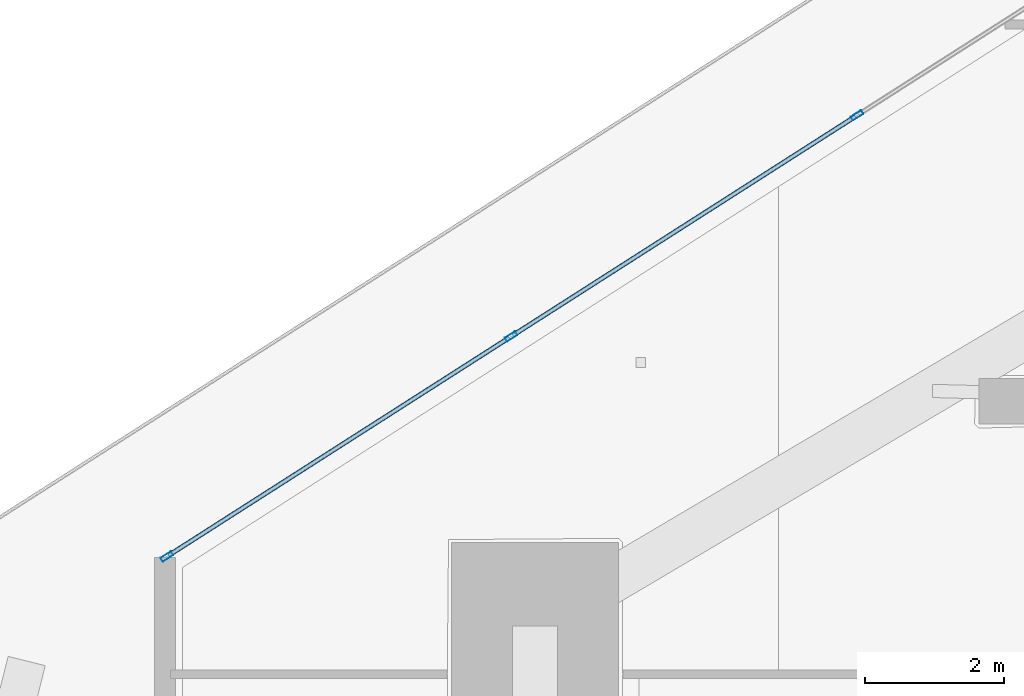
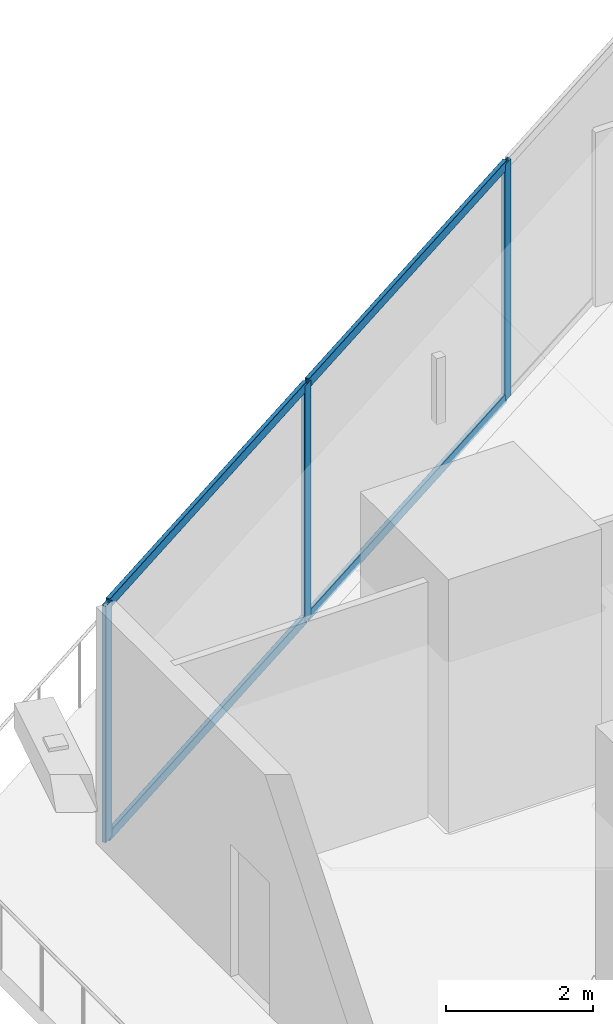
# One storey, part 12 of 44: 7 members, 1 element without a shape of its own.
"""IFC4 building model written with IfcOpenShell, lengths in metres."""

from ifc_helpers import new_model, si_unit, direction, frame, origin, origin_2d, place, context, subcontext, project, spatial, hollow_rectangle, extrude, material, layer, layer_set, material_profile, profile_set, type_object, element, aggregate, save


model = new_model("IFC4")

# Units and contexts
model_context = context("Model", 3, precision=1e-05, world=origin(), true_north=direction((0.0, 1.0)))
body_context = subcontext(model_context, "Body", "Model", "MODEL_VIEW")
ifc_project = project(units=[si_unit("LENGTHUNIT", "METRE"), si_unit("AREAUNIT", "SQUARE_METRE"), si_unit("VOLUMEUNIT", "CUBIC_METRE"), si_unit("PLANEANGLEUNIT", "RADIAN"), si_unit("MASSUNIT", "GRAM", prefix="KILO")], contexts=[model_context])

# Site, building, storey
site_placement = place(None, origin())
site = spatial("IfcSite", under=ifc_project, at=site_placement, CompositionType="ELEMENT")
building_placement = place(site_placement, origin())
building = spatial("IfcBuilding", under=site, at=building_placement, Name="Qorvath Tower", CompositionType="ELEMENT")
storey_placement = place(building_placement, frame((0.0, 0.0, 45.0)))
storey = spatial("IfcBuildingStorey", under=building, at=storey_placement, Name="L09", CompositionType="ELEMENT", Elevation=45.0)

# Curtain wall, members
ifc_material_1 = material(Name="Anodised aluminium and triple low-E glass", Category="aluminium")
ifc_layer = layer(ifc_material_1, 0.179931640625)
ifc_layer_set = layer_set([ifc_layer], Name="CW-SYS-2")
curtain_wall_type = type_object("IfcCurtainWallType", Name="CW-SYS-2", PredefinedType="NOTDEFINED", material=ifc_layer_set)
curtain_wall_placement = place(storey_placement, origin())
curtain_wall = element("IfcCurtainWall", 1, at=curtain_wall_placement, inside=storey, type_object=curtain_wall_type, Name="Curtain Wall CW-2 CW-T-L09-16.3", PredefinedType="NOTDEFINED")
ifc_material_2 = material(Name="Anodised aluminium 6063-T6", Category="aluminium")
ifc_material_profile_1 = material_profile(ifc_material_2, hollow_rectangle(XDim=0.06494140625, YDim=0.179931640625, WallThickness=0.00341796875, InnerFilletRadius=0.00341796875, OuterFilletRadius=0.007080078125, at=origin_2d()), Name="CWM 180x65")
ifc_profile_set_1 = profile_set([ifc_material_profile_1], Name="Anodised aluminium 6063-T6")
member_type_1 = type_object("IfcMemberType", Name="CWM-180", PredefinedType="MULLION", material=ifc_profile_set_1)
member_1_placement = place(storey_placement, frame((-50.65185546875, 10.534912109375, 0.0), z_axis=(0.0, 0.0, 1.0), x_axis=(0.538531853978, -0.842605152044, 0.0)))
member_1 = element("IfcMember", 2, at=member_1_placement, type_object=member_type_1, Name="CW-2 mullion 3", PredefinedType="MULLION", context=body_context, shape_type="SweptSolid", body=[
    extrude(hollow_rectangle(XDim=0.06494140625, YDim=0.179931640625, WallThickness=0.00341796875, InnerFilletRadius=0.00341796875, OuterFilletRadius=0.007080078125, at=origin_2d()), origin(), (0.0, 0.0, 1.0), 3.919921875),
])
member_2_placement = place(storey_placement, frame((-55.62646484375, 7.35546875, 0.0), z_axis=(0.0, 0.0, 1.0), x_axis=(0.538531853978, -0.842605152044, 0.0)))
member_2 = element("IfcMember", 3, at=member_2_placement, type_object=member_type_1, Name="CW-2 mullion 4", PredefinedType="MULLION", context=body_context, shape_type="SweptSolid", body=[
    extrude(hollow_rectangle(XDim=0.06494140625, YDim=0.179931640625, WallThickness=0.00341796875, InnerFilletRadius=0.00341796875, OuterFilletRadius=0.007080078125, at=origin_2d()), origin(), (0.0, 0.0, 1.0), 3.919921875),
])
member_3_placement = place(storey_placement, frame((-60.57373046875, 4.193603515625, 0.0), z_axis=(0.0, 0.0, 1.0), x_axis=(0.538531853978, -0.842605152044, 0.0)))
member_3 = element("IfcMember", 4, at=member_3_placement, type_object=member_type_1, Name="CW-2 mullion 5", PredefinedType="MULLION", context=body_context, shape_type="SweptSolid", body=[
    extrude(hollow_rectangle(XDim=0.06494140625, YDim=0.179931640625, WallThickness=0.00341796875, InnerFilletRadius=0.00341796875, OuterFilletRadius=0.007080078125, at=origin_2d()), origin(), (0.0, 0.0, 1.0), 3.919921875),
])
ifc_material_3 = material(Name="Anodised aluminium 6063-T6", Category="aluminium")
ifc_material_profile_2 = material_profile(ifc_material_3, hollow_rectangle(XDim=0.06494140625, YDim=0.159912109375, WallThickness=0.00341796875, InnerFilletRadius=0.00341796875, OuterFilletRadius=0.007080078125, at=origin_2d()), Name="CWT 160x65")
ifc_profile_set_2 = profile_set([ifc_material_profile_2], Name="Anodised aluminium 6063-T6")
member_type_2 = type_object("IfcMemberType", Name="CWT-160", PredefinedType="USERDEFINED", material=ifc_profile_set_2)
member_4_placement = place(storey_placement, frame((-50.67919921875, 10.517333984375, 0.032470703125), z_axis=(-0.842618260885, -0.538511342891, 0.0), x_axis=(0.538511342891, -0.842618260885, 0.0)))
member_4 = element("IfcMember", 5, at=member_4_placement, type_object=member_type_2, Name="CW-2 transom 3.1", ObjectType="TRANSOM", PredefinedType="USERDEFINED", context=body_context, shape_type="SweptSolid", body=[
    extrude(hollow_rectangle(XDim=0.06494140625, YDim=0.159912109375, WallThickness=0.00341796875, InnerFilletRadius=0.00341796875, OuterFilletRadius=0.007080078125, at=origin_2d()), origin(), (0.0, 0.0, 1.0), 5.8388671875),
])
member_5_placement = place(storey_placement, frame((-50.67919921875, 10.517333984375, 3.887451171875), z_axis=(-0.842618260885, -0.538511342891, 0.0), x_axis=(0.538511342891, -0.842618260885, 0.0)))
member_5 = element("IfcMember", 6, at=member_5_placement, type_object=member_type_2, Name="CW-2 transom 3.2", ObjectType="TRANSOM", PredefinedType="USERDEFINED", context=body_context, shape_type="SweptSolid", body=[
    extrude(hollow_rectangle(XDim=0.06494140625, YDim=0.159912109375, WallThickness=0.00341796875, InnerFilletRadius=0.00341796875, OuterFilletRadius=0.007080078125, at=origin_2d()), origin(), (0.0, 0.0, 1.0), 5.8388671875),
])
member_6_placement = place(storey_placement, frame((-55.65380859375, 7.337890625, 0.032470703125), z_axis=(-0.842607225398, -0.538528609925, 0.0), x_axis=(0.538528609925, -0.842607225398, 0.0)))
member_6 = element("IfcMember", 7, at=member_6_placement, type_object=member_type_2, Name="CW-2 transom 4.1", ObjectType="TRANSOM", PredefinedType="USERDEFINED", context=body_context, shape_type="SweptSolid", body=[
    extrude(hollow_rectangle(XDim=0.06494140625, YDim=0.159912109375, WallThickness=0.00341796875, InnerFilletRadius=0.00341796875, OuterFilletRadius=0.007080078125, at=origin_2d()), origin(), (0.0, 0.0, 1.0), 5.806396484375),
])
member_7_placement = place(storey_placement, frame((-55.65380859375, 7.337890625, 3.887451171875), z_axis=(-0.842607225398, -0.538528609925, 0.0), x_axis=(0.538528609925, -0.842607225398, 0.0)))
member_7 = element("IfcMember", 8, at=member_7_placement, type_object=member_type_2, Name="CW-2 transom 4.2", ObjectType="TRANSOM", PredefinedType="USERDEFINED", context=body_context, shape_type="SweptSolid", body=[
    extrude(hollow_rectangle(XDim=0.06494140625, YDim=0.159912109375, WallThickness=0.00341796875, InnerFilletRadius=0.00341796875, OuterFilletRadius=0.007080078125, at=origin_2d()), origin(), (0.0, 0.0, 1.0), 5.806396484375),
])
aggregate(curtain_wall, [member_1, member_2, member_3, member_4, member_5, member_6, member_7])

save(model, "model.ifc")
